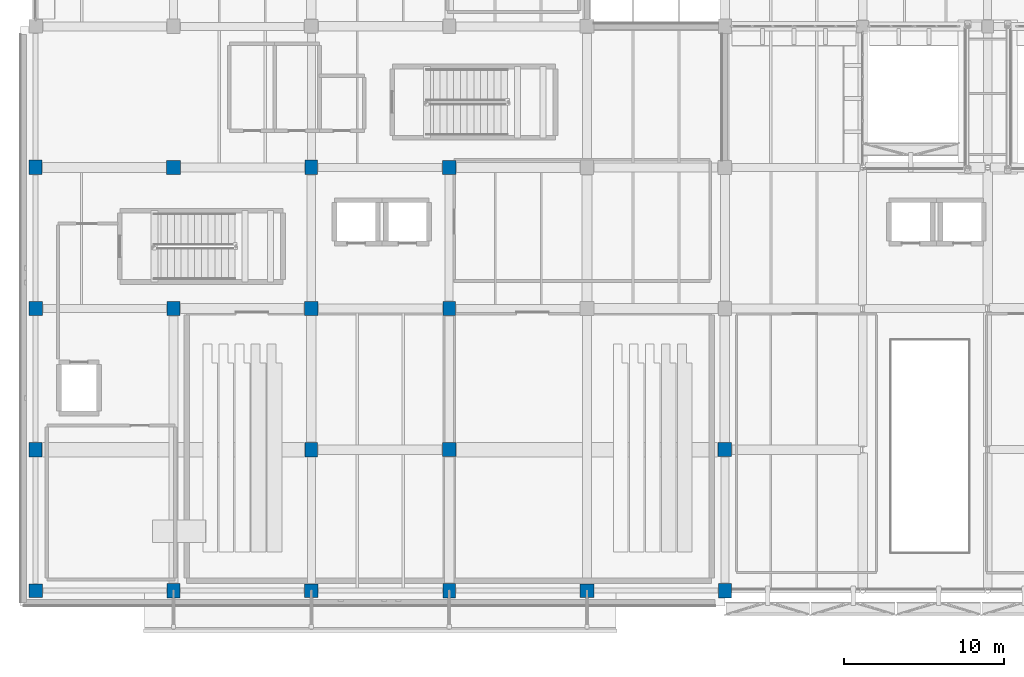
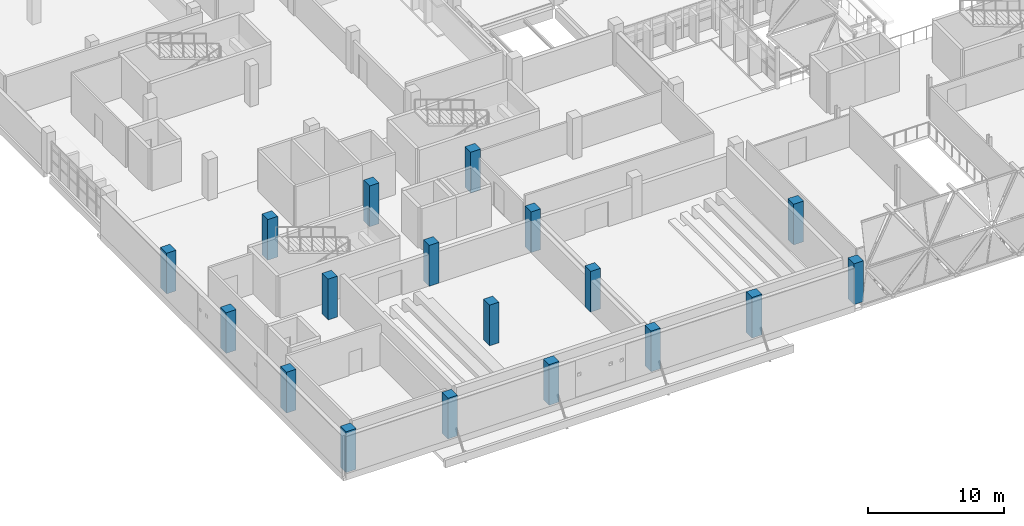
# One storey, part 1 of 80: 18 columns.
"""IFC4 building model written with IfcOpenShell, lengths in metres."""

from ifc_helpers import new_model, si_unit, direction, frame, origin, origin_2d, place, context, subcontext, project, spatial, rectangle, extrude, material, material_profile, profile_set, type_object, element, save


model = new_model("IFC4")

# Units and contexts
model_context = context("Model", 3, precision=1e-05, world=origin(), true_north=direction((0.0, 1.0)))
body_context = subcontext(model_context, "Body", "Model", "MODEL_VIEW")
ifc_project = project(units=[si_unit("LENGTHUNIT", "METRE"), si_unit("AREAUNIT", "SQUARE_METRE"), si_unit("VOLUMEUNIT", "CUBIC_METRE"), si_unit("PLANEANGLEUNIT", "RADIAN"), si_unit("MASSUNIT", "GRAM", prefix="KILO")], contexts=[model_context])

# Site, building, storey
site_placement = place(None, origin())
site = spatial("IfcSite", under=ifc_project, at=site_placement, CompositionType="ELEMENT")
building_placement = place(site_placement, origin())
building = spatial("IfcBuilding", under=site, at=building_placement, Name="Varnakota Cinema and Media Centre", CompositionType="ELEMENT")
storey_placement = place(building_placement, frame((0.0, 0.0, 4.5)))
storey = spatial("IfcBuildingStorey", under=building, at=storey_placement, Name="L01", CompositionType="ELEMENT", Elevation=4.5)

# Columns
ifc_material_1 = material(Name="Concrete M40", Category="concrete")
ifc_material_profile_1 = material_profile(ifc_material_1, rectangle(XDim=0.800048828125, YDim=0.89990234375, at=origin_2d()), Name="RC 800x900")
ifc_profile_set_1 = profile_set([ifc_material_profile_1], Name="Concrete M40")
column_type_1 = type_object("IfcColumnType", Name="COL-RC-800x900", PredefinedType="COLUMN", material=ifc_profile_set_1)
for number, where, z_axis, x_axis, name in (
    (1, (0.0, 8.800048828125, 0.0), (0.0, 0.0, 1.0), (1.0, 0.0, 0.0), "L01 column A/2"),
    (2, (0.0, 26.39990234375, 0.0), (0.0, 0.0, 1.0), (1.0, 0.0, 0.0), "L01 column A/4"),
    (3, (8.60009765625, 0.0, 0.0), (0.0, 0.0, 1.0), (1.0, 0.0, 0.0), "L01 column B/1"),
    (4, (8.60009765625, 17.60009765625, 0.0), (0.0, 0.0, 1.0), (1.0, 0.0, 0.0), "L01 column B/3"),
    (5, (17.199951171875, 8.800048828125, 0.0), (0.0, 0.0, 1.0), (1.0, 0.0, 0.0), "L01 column C/2"),
    (6, (17.199951171875, 26.39990234375, 0.0), (0.0, 0.0, 1.0), (1.0, 0.0, 0.0), "L01 column C/4"),
    (7, (25.800048828125, 0.0, 0.0), (0.0, 0.0, 1.0), (1.0, 0.0, 0.0), "L01 column D/1"),
    (8, (25.800048828125, 17.60009765625, 0.0), (0.0, 0.0, 1.0), (1.0, 0.0, 0.0), "L01 column D/3"),
    (9, (43.0, 0.0, 0.0), (0.0, 0.0, 1.0), (1.0, 0.0, 0.0), "L01 column F/1"),
):
    element("IfcColumn", number, at=place(storey_placement, frame(where, z_axis=z_axis, x_axis=x_axis)), inside=storey, type_object=column_type_1, Name=name, PredefinedType="COLUMN", context=body_context, shape_type="SweptSolid", body=[
        extrude(rectangle(XDim=0.800048828125, YDim=0.89990234375, at=origin_2d()), origin(), (0.0, 0.0, 1.0), 3.64990234375),
    ])
ifc_material_2 = material(Name="Concrete M50", Category="concrete")
ifc_material_profile_2 = material_profile(ifc_material_2, rectangle(XDim=0.85009765625, YDim=0.85009765625, at=origin_2d()), Name="RC 850x850")
ifc_profile_set_2 = profile_set([ifc_material_profile_2], Name="Concrete M50")
column_type_2 = type_object("IfcColumnType", Name="COL-RC-850x850", PredefinedType="COLUMN", material=ifc_profile_set_2)
for number, where, z_axis, x_axis, name in (
    (10, (0.0, 0.0, 0.0), (0.0, 0.0, 1.0), (1.0, 0.0, 0.0), "L01 column A/1"),
    (11, (0.0, 17.60009765625, 0.0), (0.0, 0.0, 1.0), (1.0, 0.0, 0.0), "L01 column A/3"),
    (12, (8.60009765625, 26.39990234375, 0.0), (0.0, 0.0, 1.0), (1.0, 0.0, 0.0), "L01 column B/4"),
    (13, (17.199951171875, 0.0, 0.0), (0.0, 0.0, 1.0), (1.0, 0.0, 0.0), "L01 column C/1"),
    (14, (17.199951171875, 17.60009765625, 0.0), (0.0, 0.0, 1.0), (1.0, 0.0, 0.0), "L01 column C/3"),
    (15, (25.800048828125, 8.800048828125, 0.0), (0.0, 0.0, 1.0), (1.0, 0.0, 0.0), "L01 column D/2"),
    (16, (25.800048828125, 26.39990234375, 0.0), (0.0, 0.0, 1.0), (1.0, 0.0, 0.0), "L01 column D/4"),
    (17, (34.39990234375, 0.0, 0.0), (0.0, 0.0, 1.0), (1.0, 0.0, 0.0), "L01 column E/1"),
    (18, (43.0, 8.800048828125, 0.0), (0.0, 0.0, 1.0), (1.0, 0.0, 0.0), "L01 column F/2"),
):
    element("IfcColumn", number, at=place(storey_placement, frame(where, z_axis=z_axis, x_axis=x_axis)), inside=storey, type_object=column_type_2, Name=name, PredefinedType="COLUMN", context=body_context, shape_type="SweptSolid", body=[
        extrude(rectangle(XDim=0.85009765625, YDim=0.85009765625, at=origin_2d()), origin(), (0.0, 0.0, 1.0), 3.64990234375),
    ])

save(model, "model.ifc")
